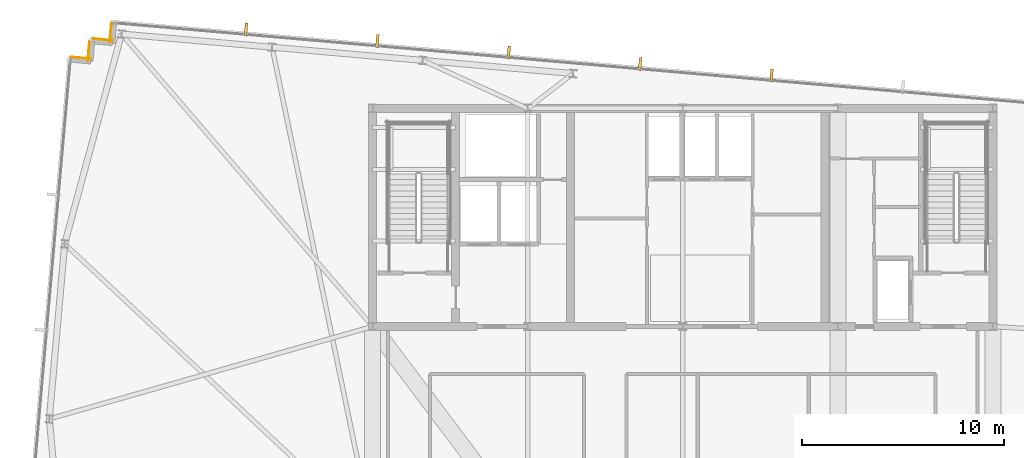
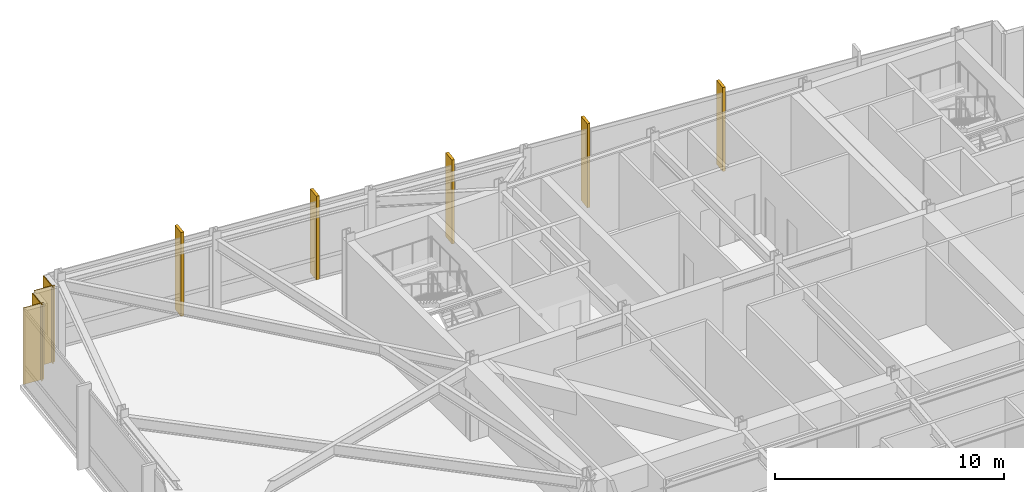
# One storey, part 25 of 25: 5 shading devices, 4 coverings.
"""IFC4 building model written with IfcOpenShell, lengths in metres."""

from ifc_helpers import new_model, si_unit, direction, frame, frame_2d, origin, origin_2d, place, context, subcontext, project, spatial, rectangle, extrude, material, layer, layer_set, type_object, element, save


model = new_model("IFC4")

# Units and contexts
model_context = context("Model", 3, precision=1e-05, world=origin(), true_north=direction((0.0, 1.0)))
body_context = subcontext(model_context, "Body", "Model", "MODEL_VIEW")
ifc_project = project(units=[si_unit("LENGTHUNIT", "METRE"), si_unit("AREAUNIT", "SQUARE_METRE"), si_unit("VOLUMEUNIT", "CUBIC_METRE"), si_unit("PLANEANGLEUNIT", "RADIAN"), si_unit("MASSUNIT", "GRAM", prefix="KILO")], contexts=[model_context])

# Site, building, storey
site_placement = place(None, origin())
site = spatial("IfcSite", under=ifc_project, at=site_placement, CompositionType="ELEMENT")
building_placement = place(site_placement, origin())
building = spatial("IfcBuilding", under=site, at=building_placement, Name="Yelkora Congress Tower", CompositionType="ELEMENT")
storey_placement = place(building_placement, frame((0.0, 0.0, 299.89990234375)))
storey = spatial("IfcBuildingStorey", under=building, at=storey_placement, Name="L84", CompositionType="ELEMENT", Elevation=299.89990234375)

# Coverings
ifc_material_1 = material(Name="Anatolian bush-hammered limestone", Category="masonry")
ifc_layer_1 = layer(ifc_material_1, 0.0400390625)
ifc_layer_set_1 = layer_set([ifc_layer_1], Name="Anatolian bush-hammered limestone")
covering_type = type_object("IfcCoveringType", Name="COV-CLAD-SPANDREL-40", PredefinedType="CLADDING", material=ifc_layer_set_1)
for number, where, z_axis, x_axis, name in (
    (1, (8.0849609375, 48.744140625, 0.0), (0.0, 0.0, 1.0), (0.996195572005, -0.087145753297, 0.0), "L84 Anatolian Limestone Cladding EW-L84-SR06"),
    (2, (8.93505859375, 48.5341796875, 0.0), (0.0, 0.0, 1.0), (0.087145753297, 0.996195572005, 0.0), "L84 Anatolian Limestone Cladding EW-L84-SR07"),
):
    element("IfcCovering", number, at=place(storey_placement, frame(where, z_axis=z_axis, x_axis=x_axis)), inside=storey, type_object=covering_type, Name=name, PredefinedType="CLADDING", context=body_context, shape_type="SweptSolid", body=[
        extrude(rectangle(XDim=1.000244140625, YDim=0.0400390625, at=frame_2d((0.5, 0.0))), origin(), (0.0, 0.0, 1.0), 4.080078125),
    ])
covering_1_placement = place(storey_placement, frame((9.16845703125, 49.6533203125, 0.0), z_axis=(0.0, 0.0, 1.0), x_axis=(0.996193717496, -0.087166950281, 0.0)))
element("IfcCovering", 3, at=covering_1_placement, inside=storey, type_object=covering_type, Name="L84 Anatolian Limestone Cladding EW-L84-SR08", PredefinedType="CLADDING", context=body_context, shape_type="SweptSolid", body=[
    extrude(rectangle(XDim=1.0, YDim=0.0400390625, at=frame_2d((0.5, 0.0))), origin(), (0.0, 0.0, 1.0), 4.080078125),
])
covering_2_placement = place(storey_placement, frame((10.018310546875, 49.443359375, 0.0), z_axis=(0.0, 0.0, 1.0), x_axis=(0.087145753297, 0.996195572005, 0.0)))
element("IfcCovering", 4, at=covering_2_placement, inside=storey, type_object=covering_type, Name="L84 Anatolian Limestone Cladding EW-L84-SR09", PredefinedType="CLADDING", context=body_context, shape_type="SweptSolid", body=[
    extrude(rectangle(XDim=1.000244140625, YDim=0.0400390625, at=frame_2d((0.5, 0.0))), origin(), (0.0, 0.0, 1.0), 4.080078125),
])

# Shading devices
ifc_material_2 = material(Name="Champagne anodised aluminium", Category="aluminium")
ifc_layer_2 = layer(ifc_material_2, 3.39990234375)
ifc_layer_set_2 = layer_set([ifc_layer_2], Name="Champagne anodised aluminium")
shading_device_type = type_object("IfcShadingDeviceType", Name="SHD-FIN-ALU-640", PredefinedType="USERDEFINED", material=ifc_layer_set_2)
for number, where, z_axis, x_axis, name in (
    (5, (16.769287109375, 50.11767578125, -0.02978515625), (0.0, 0.0, 1.0), (0.996194698092, -0.087155742748, 0.0), "L84 Vertical Anodised Solar Fin 10-1"),
    (6, (23.27587890625, 49.54833984375, -0.02978515625), (0.0, 0.0, 1.0), (0.996194698092, -0.087155742748, 0.0), "L84 Vertical Anodised Solar Fin 10-2"),
    (7, (29.782470703125, 48.97900390625, -0.02978515625), (0.0, 0.0, 1.0), (0.996194698092, -0.087155742748, 0.0), "L84 Vertical Anodised Solar Fin 10-3"),
    (8, (36.2890625, 48.409912109375, -0.02978515625), (0.0, 0.0, 1.0), (0.996194698092, -0.087155742748, 0.0), "L84 Vertical Anodised Solar Fin 10-4"),
    (9, (42.79541015625, 47.840576171875, -0.02978515625), (0.0, 0.0, 1.0), (0.996194698092, -0.087155742748, 0.0), "L84 Vertical Anodised Solar Fin 10-5"),
):
    element("IfcShadingDevice", number, at=place(storey_placement, frame(where, z_axis=z_axis, x_axis=x_axis)), inside=storey, type_object=shading_device_type, Name=name, ObjectType="FIN", PredefinedType="USERDEFINED", context=body_context, shape_type="SweptSolid", body=[
        extrude(rectangle(XDim=0.139892578125, YDim=0.639892578125, at=origin_2d()), origin(), (0.0, 0.0, 1.0), 4.47998046875),
    ])

save(model, "model.ifc")
